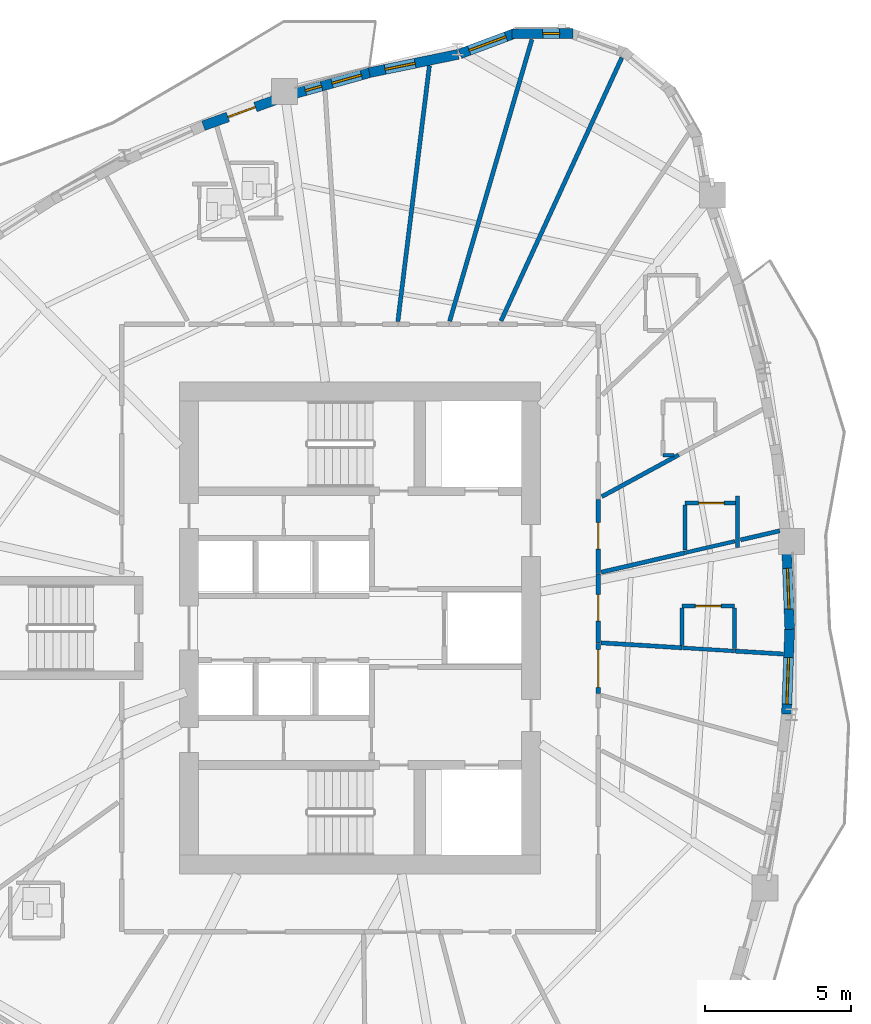
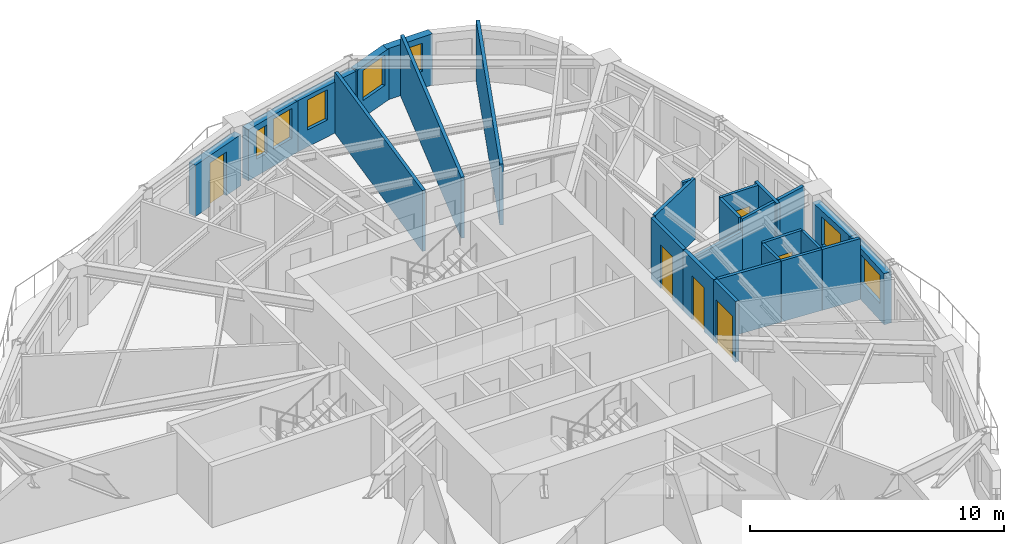
# One storey, part 10 of 17: 27 walls, 7 windows, 6 doors, 13 openings.
"""IFC4 building model written with IfcOpenShell, lengths in metres."""

from ifc_helpers import new_model, si_unit, direction, frame, frame_2d, origin, place, context, subcontext, project, spatial, rectangle, extrude, source, transform, mapped, material, layer, layer_set, type_object, element, fill, save


model = new_model("IFC4")

# Units and contexts
model_context = context("Model", 3, precision=1e-05, world=origin(), true_north=direction((0.0, 1.0)))
body_context = subcontext(model_context, "Body", "Model", "MODEL_VIEW")
ifc_project = project(units=[si_unit("LENGTHUNIT", "METRE"), si_unit("AREAUNIT", "SQUARE_METRE"), si_unit("VOLUMEUNIT", "CUBIC_METRE"), si_unit("PLANEANGLEUNIT", "RADIAN"), si_unit("MASSUNIT", "GRAM", prefix="KILO")], contexts=[model_context])

# Site, building, storey
site_placement = place(None, origin())
site = spatial("IfcSite", under=ifc_project, at=site_placement, CompositionType="ELEMENT")
building_placement = place(site_placement, origin())
building = spatial("IfcBuilding", under=site, at=building_placement, Name="Qafzar Sky-Pleat Residences", CompositionType="ELEMENT")
storey_placement = place(building_placement, frame((0.0, 0.0, 108.800048828125)))
storey = spatial("IfcBuildingStorey", under=building, at=storey_placement, Name="L32", CompositionType="ELEMENT", Elevation=108.800048828125)

# Wall, opening, door
ifc_material_1 = material(Name="Acoustic gypsum plasterboard partition", Category="gypsum")
ifc_layer_1 = layer(ifc_material_1, 0.159912109375)
ifc_layer_set_1 = layer_set([ifc_layer_1], Name="Acoustic gypsum plasterboard partition")
wall_type_1 = type_object("IfcWallType", Name="PART-COR-160", PredefinedType="PARTITIONING", material=ifc_layer_set_1)
wall_1_placement = place(storey_placement, frame((38.530029296875, 30.4150390625, 0.0), z_axis=(0.0, 0.0, 1.0), x_axis=(0.0, -1.0, 0.0)))
wall_1 = element("IfcWall", 1, at=wall_1_placement, inside=storey, type_object=wall_type_1, Name="L32 Partition Wall PART-L32-PW-011", PredefinedType="PARTITIONING", context=body_context, shape_type="SweptSolid", body=[
    extrude(rectangle(XDim=2.5361328125, YDim=0.159912109375, at=frame_2d((1.26806640625, 0.0))), origin(), (0.0, 0.0, 1.0), 2.93505859375),
])
opening_1_placement = place(wall_1_placement, frame((0.784423828125, 0.0, 0.0)))
opening_1 = element("IfcOpeningElement", 2, at=opening_1_placement, cuts=wall_1, Name="Opening ID-04", PredefinedType="OPENING", context=body_context, shape_type="SweptSolid", body=[
    extrude(rectangle(XDim=0.919921875, YDim=2.10009765625, at=frame_2d((0.4599609375, 1.050048828125))), frame((0.0, 0.08984375, 0.0), z_axis=(0.0, -1.0, 0.0), x_axis=(1.0, 0.0, 0.0)), (0.0, 0.0, 1.0), 0.179931640625),
])
ifc_material_2 = material(Name="Timber-faced fire door", Category="wood")
door_type_1 = type_object("IfcDoorType", Name="DR-BED-920", OperationType="NOTDEFINED", PredefinedType="DOOR", material=ifc_material_2)
shared_shape_1 = source(origin(), body_context, "Body", "SweptSolid", [
    extrude(rectangle(XDim=0.919921875, YDim=2.10009765625, at=frame_2d((0.4599609375, 1.050048828125))), frame((0.0, 0.02490234375, 0.0), z_axis=(0.0, -1.0, 0.0), x_axis=(1.0, 0.0, 0.0)), (0.0, 0.0, 1.0), 0.050048828125),
])
door_1_placement = place(opening_1_placement, origin())
door_1 = element("IfcDoor", 3, at=door_1_placement, inside=storey, type_object=door_type_1, Name="L32 Co-Living Bedroom 9 Door", OperationType="SINGLE_SWING_LEFT", OverallHeight=2.10009765625, OverallWidth=0.919921875, PredefinedType="DOOR", context=body_context, shape_type="MappedRepresentation", body=[
    mapped(shared_shape_1, transform((0.0, 0.0, 0.0), x_axis=(1.0, 0.0, 0.0), y_axis=(0.0, 1.0, 0.0), z_axis=(0.0, 0.0, 1.0), scale=1.0)),
])
fill(opening_1, door_1)

wall_2_placement = place(storey_placement, frame((38.530029296875, 27.864013671875, 0.0), z_axis=(0.0, 0.0, 1.0), x_axis=(0.0, -1.0, 0.0)))
wall_2 = element("IfcWall", 4, at=wall_2_placement, inside=storey, type_object=wall_type_1, Name="L32 Partition Wall PART-L32-PW-014", PredefinedType="PARTITIONING", context=body_context, shape_type="SweptSolid", body=[
    extrude(rectangle(XDim=2.381103515625, YDim=0.159912109375, at=frame_2d((1.1904296875, 0.0))), origin(), (0.0, 0.0, 1.0), 2.93505859375),
])
opening_2_placement = place(wall_2_placement, frame((0.7080078125, 0.0, 0.0)))
opening_2 = element("IfcOpeningElement", 5, at=opening_2_placement, cuts=wall_2, Name="Opening ID-04", PredefinedType="OPENING", context=body_context, shape_type="SweptSolid", body=[
    extrude(rectangle(XDim=0.919921875, YDim=2.10009765625, at=frame_2d((0.4599609375, 1.050048828125))), frame((0.0, 0.08984375, 0.0), z_axis=(0.0, -1.0, 0.0), x_axis=(1.0, 0.0, 0.0)), (0.0, 0.0, 1.0), 0.179931640625),
])
door_2_placement = place(opening_2_placement, origin())
door_2 = element("IfcDoor", 6, at=door_2_placement, inside=storey, type_object=door_type_1, Name="L32 Co-Living Bedroom 10 Door", OperationType="SINGLE_SWING_RIGHT", OverallHeight=2.10009765625, OverallWidth=0.919921875, PredefinedType="DOOR", context=body_context, shape_type="MappedRepresentation", body=[
    mapped(shared_shape_1, transform((0.0, 0.0, 0.0), x_axis=(1.0, 0.0, 0.0), y_axis=(0.0, 1.0, 0.0), z_axis=(0.0, 0.0, 1.0), scale=1.0)),
])
fill(opening_2, door_2)

wall_3_placement = place(storey_placement, frame((38.530029296875, 25.468017578125, 0.0), z_axis=(0.0, 0.0, 1.0), x_axis=(0.0, -1.0, 0.0)))
wall_3 = element("IfcWall", 7, at=wall_3_placement, inside=storey, type_object=wall_type_1, Name="L32 Partition Wall PART-L32-PW-029", PredefinedType="PARTITIONING", context=body_context, shape_type="SweptSolid", body=[
    extrude(rectangle(XDim=1.716064453125, YDim=0.159912109375, at=frame_2d((0.85791015625, 0.0))), origin(), (0.0, 0.0, 1.0), 2.93505859375),
])
opening_3_placement = place(wall_3_placement, frame((0.20849609375, 0.0, 0.0)))
opening_3 = element("IfcOpeningElement", 8, at=opening_3_placement, cuts=wall_3, Name="Opening ID-05", PredefinedType="OPENING", context=body_context, shape_type="SweptSolid", body=[
    extrude(rectangle(XDim=1.300048828125, YDim=2.10009765625, at=frame_2d((0.64990234375, 1.050048828125))), frame((0.0, 0.08984375, 0.0), z_axis=(0.0, -1.0, 0.0), x_axis=(1.0, 0.0, 0.0)), (0.0, 0.0, 1.0), 0.179931640625),
])
door_type_2 = type_object("IfcDoorType", Name="DR-LNG-1300", OperationType="DOUBLE_DOOR_SINGLE_SWING", PredefinedType="DOOR", material=ifc_material_2)
shared_shape_2 = source(origin(), body_context, "Body", "SweptSolid", [
    extrude(rectangle(XDim=1.300048828125, YDim=2.10009765625, at=frame_2d((0.64990234375, 1.050048828125))), frame((0.0, 0.02490234375, 0.0), z_axis=(0.0, -1.0, 0.0), x_axis=(1.0, 0.0, 0.0)), (0.0, 0.0, 1.0), 0.050048828125),
])
door_3_placement = place(opening_3_placement, origin())
door_3 = element("IfcDoor", 9, at=door_3_placement, inside=storey, type_object=door_type_2, Name="L32 Scholar Study Room Door", OperationType="DOUBLE_DOOR_SINGLE_SWING", OverallHeight=2.10009765625, OverallWidth=1.300048828125, PredefinedType="DOOR", context=body_context, shape_type="MappedRepresentation", body=[
    mapped(shared_shape_2, transform((0.0, 0.0, 0.0), x_axis=(1.0, 0.0, 0.0), y_axis=(0.0, 1.0, 0.0), z_axis=(0.0, 0.0, 1.0), scale=1.0)),
])
fill(opening_3, door_3)

# Walls
ifc_layer_2 = layer(ifc_material_1, 0.14501953125)
ifc_layer_set_2 = layer_set([ifc_layer_2], Name="Acoustic gypsum plasterboard partition")
wall_type_2 = type_object("IfcWallType", Name="PART-UNIT-145", PredefinedType="PARTITIONING", material=ifc_layer_set_2)
wall_4_placement = place(storey_placement, frame((33.426513671875, 36.5380859375, 0.0), z_axis=(0.0, 0.0, 1.0), x_axis=(0.280326379037, 0.959904745908, 0.0)))
element("IfcWall", 10, at=wall_4_placement, inside=storey, type_object=wall_type_2, Name="L32 Partition Wall PART-L32-PW-032", PredefinedType="PARTITIONING", context=body_context, shape_type="SweptSolid", body=[
    extrude(rectangle(XDim=10.081787109375, YDim=0.14501953125, at=frame_2d((5.041015625, 0.0))), origin(), (0.0, 0.0, 1.0), 2.93505859375),
])
wall_5_placement = place(storey_placement, frame((35.19091796875, 36.547607421875, 0.0), z_axis=(0.0, 0.0, 1.0), x_axis=(0.417154036681, 0.908835799075, 0.0)))
element("IfcWall", 11, at=wall_5_placement, inside=storey, type_object=wall_type_2, Name="L32 Partition Wall PART-L32-PW-033", PredefinedType="PARTITIONING", context=body_context, shape_type="SweptSolid", body=[
    extrude(rectangle(XDim=9.94873046875, YDim=0.14501953125, at=frame_2d((4.974365234375, 0.0))), origin(), (0.0, 0.0, 1.0), 2.93505859375),
])
wall_6_placement = place(storey_placement, frame((31.64794921875, 36.52685546875, 0.0), z_axis=(0.0, 0.0, 1.0), x_axis=(0.122371290087, 0.992484391496, 0.0)))
element("IfcWall", 12, at=wall_6_placement, inside=storey, type_object=wall_type_2, Name="L32 Partition Wall PART-L32-PW-035", PredefinedType="PARTITIONING", context=body_context, shape_type="SweptSolid", body=[
    extrude(rectangle(XDim=8.852294921875, YDim=0.14501953125, at=frame_2d((4.42626953125, 0.0))), origin(), (0.0, 0.0, 1.0), 2.93505859375),
])
wall_7_placement = place(storey_placement, frame((38.651611328125, 30.51318359375, 0.0), z_axis=(0.0, 0.0, 1.0), x_axis=(0.878637115469, 0.47749012484, 0.0)))
element("IfcWall", 13, at=wall_7_placement, inside=storey, type_object=wall_type_2, Name="L32 Partition Wall PART-L32-PW-048", PredefinedType="PARTITIONING", context=body_context, shape_type="SweptSolid", body=[
    extrude(rectangle(XDim=3.0029296875, YDim=0.14501953125, at=frame_2d((1.50146484375, 0.0))), origin(), (0.0, 0.0, 1.0), 2.93505859375),
])
wall_8_placement = place(storey_placement, frame((38.63427734375, 27.918212890625, 0.0), z_axis=(0.0, 0.0, 1.0), x_axis=(0.974209851619, 0.225643889812, 0.0)))
element("IfcWall", 14, at=wall_8_placement, inside=storey, type_object=wall_type_2, Name="L32 Partition Wall PART-L32-PW-049", PredefinedType="PARTITIONING", context=body_context, shape_type="SweptSolid", body=[
    extrude(rectangle(XDim=2.954833984375, YDim=0.14501953125, at=frame_2d((1.4775390625, 0.0))), origin(), (0.0, 0.0, 1.0), 2.35302734375),
])
wall_9_placement = place(storey_placement, frame((38.622314453125, 25.4921875, 0.0), z_axis=(0.0, 0.0, 1.0), x_axis=(0.998116736368, -0.061343138015, 0.0)))
element("IfcWall", 15, at=wall_9_placement, inside=storey, type_object=wall_type_2, Name="L32 Partition Wall PART-L32-PW-053", PredefinedType="PARTITIONING", context=body_context, shape_type="SweptSolid", body=[
    extrude(rectangle(XDim=2.7900390625, YDim=0.14501953125, at=frame_2d((1.39501953125, 0.0))), origin(), (0.0, 0.0, 1.0), 2.93505859375),
])
wall_10_placement = place(storey_placement, frame((43.221923828125, 25.208984375, 0.0), z_axis=(0.0, 0.0, 1.0), x_axis=(0.99814842403, -0.060825353328, 0.0)))
element("IfcWall", 16, at=wall_10_placement, inside=storey, type_object=wall_type_2, Name="L32 Partition Wall PART-L32-PW-067", PredefinedType="PARTITIONING", context=body_context, shape_type="SweptSolid", body=[
    extrude(rectangle(XDim=1.673828125, YDim=0.14501953125, at=frame_2d((0.8369140625, 0.0))), origin(), (0.0, 0.0, 1.0), 2.93505859375),
])
wall_11_placement = place(storey_placement, frame((43.416748046875, 29.026123046875, 0.0), z_axis=(0.0, 0.0, 1.0), x_axis=(0.974194367241, 0.225710732657, 0.0)))
element("IfcWall", 17, at=wall_11_placement, inside=storey, type_object=wall_type_2, Name="L32 Partition Wall PART-L32-PW-072", PredefinedType="PARTITIONING", context=body_context, shape_type="SweptSolid", body=[
    extrude(rectangle(XDim=1.38232421875, YDim=0.14501953125, at=frame_2d((0.691162109375, 0.0))), origin(), (0.0, 0.0, 1.0), 2.93505859375),
])

# Wall, opening, door
ifc_material_3 = material(Name="Moisture-resistant gypsum partition", Category="gypsum")
ifc_layer_3 = layer(ifc_material_3, 0.1298828125)
ifc_layer_set_3 = layer_set([ifc_layer_3], Name="Moisture-resistant gypsum partition")
wall_type_3 = type_object("IfcWallType", Name="PART-WET-130", PredefinedType="PARTITIONING", material=ifc_layer_set_3)
wall_12_placement = place(storey_placement, frame((43.239990234375, 30.2919921875, 0.0), z_axis=(0.0, 0.0, 1.0), x_axis=(-1.0, 0.0, 0.0)))
wall_12 = element("IfcWall", 18, at=wall_12_placement, inside=storey, type_object=wall_type_3, Name="L32 Partition Wall PART-L32-PW-026", PredefinedType="PARTITIONING", context=body_context, shape_type="SweptSolid", body=[
    extrude(rectangle(XDim=1.72705078125, YDim=0.1298828125, at=frame_2d((0.863525390625, 0.0))), origin(), (0.0, 0.0, 1.0), 2.93505859375),
])
opening_4_placement = place(wall_12_placement, frame((0.386962890625, 0.0, 0.0)))
opening_4 = element("IfcOpeningElement", 19, at=opening_4_placement, cuts=wall_12, Name="Opening ID-07", PredefinedType="OPENING", context=body_context, shape_type="SweptSolid", body=[
    extrude(rectangle(XDim=0.8798828125, YDim=2.050048828125, at=frame_2d((0.43994140625, 1.02490234375))), frame((0.0, 0.074951171875, 0.0), z_axis=(0.0, -1.0, 0.0), x_axis=(1.0, 0.0, 0.0)), (0.0, 0.0, 1.0), 0.14990234375),
])
door_type_3 = type_object("IfcDoorType", Name="DR-WET-880", OperationType="NOTDEFINED", PredefinedType="DOOR", material=ifc_material_2)
shared_shape_3 = source(origin(), body_context, "Body", "SweptSolid", [
    extrude(rectangle(XDim=0.8798828125, YDim=2.050048828125, at=frame_2d((0.43994140625, 1.02490234375))), frame((0.0, 0.02490234375, 0.0), z_axis=(0.0, -1.0, 0.0), x_axis=(1.0, 0.0, 0.0)), (0.0, 0.0, 1.0), 0.050048828125),
])
door_4_placement = place(opening_4_placement, origin())
door_4 = element("IfcDoor", 20, at=door_4_placement, inside=storey, type_object=door_type_3, Name="L32 En-suite Bathroom 9 Door", OperationType="SINGLE_SWING_LEFT", OverallHeight=2.050048828125, OverallWidth=0.8798828125, PredefinedType="DOOR", context=body_context, shape_type="MappedRepresentation", body=[
    mapped(shared_shape_3, transform((0.0, 0.0, 0.0), x_axis=(1.0, 0.0, 0.0), y_axis=(0.0, 1.0, 0.0), z_axis=(0.0, 0.0, 1.0), scale=1.0)),
])
fill(opening_4, door_4)

wall_13_placement = place(storey_placement, frame((43.20703125, 26.7529296875, 0.0), z_axis=(0.0, 0.0, 1.0), x_axis=(-1.0, 0.0, 0.0)))
wall_13 = element("IfcWall", 21, at=wall_13_placement, inside=storey, type_object=wall_type_3, Name="L32 Partition Wall PART-L32-PW-027", PredefinedType="PARTITIONING", context=body_context, shape_type="SweptSolid", body=[
    extrude(rectangle(XDim=1.800048828125, YDim=0.1298828125, at=frame_2d((0.89990234375, 0.0))), origin(), (0.0, 0.0, 1.0), 2.93505859375),
])
opening_5_placement = place(wall_13_placement, frame((0.4599609375, 0.0, 0.0)))
opening_5 = element("IfcOpeningElement", 22, at=opening_5_placement, cuts=wall_13, Name="Opening ID-07", PredefinedType="OPENING", context=body_context, shape_type="SweptSolid", body=[
    extrude(rectangle(XDim=0.8798828125, YDim=2.050048828125, at=frame_2d((0.43994140625, 1.02490234375))), frame((0.0, 0.074951171875, 0.0), z_axis=(0.0, -1.0, 0.0), x_axis=(1.0, 0.0, 0.0)), (0.0, 0.0, 1.0), 0.14990234375),
])
door_5_placement = place(opening_5_placement, origin())
door_5 = element("IfcDoor", 23, at=door_5_placement, inside=storey, type_object=door_type_3, Name="L32 En-suite Bathroom 10 Door", OperationType="SINGLE_SWING_RIGHT", OverallHeight=2.050048828125, OverallWidth=0.8798828125, PredefinedType="DOOR", context=body_context, shape_type="MappedRepresentation", body=[
    mapped(shared_shape_3, transform((0.0, 0.0, 0.0), x_axis=(1.0, 0.0, 0.0), y_axis=(0.0, 1.0, 0.0), z_axis=(0.0, 0.0, 1.0), scale=1.0)),
])
fill(opening_5, door_5)

# Walls
wall_14_placement = place(storey_placement, frame((41.527587890625, 28.58837890625, 0.0), z_axis=(0.0, 0.0, 1.0), x_axis=(0.974206728247, 0.225657374437, 0.0)))
element("IfcWall", 24, at=wall_14_placement, inside=storey, type_object=wall_type_3, Name="L32 Partition Wall PART-L32-PW-058", PredefinedType="PARTITIONING", context=body_context, shape_type="SweptSolid", body=[
    extrude(rectangle(XDim=1.742919921875, YDim=0.1298828125, at=frame_2d((0.87158203125, 0.0))), origin(), (0.0, 0.0, 1.0), 2.93505859375),
])
wall_15_placement = place(storey_placement, frame((41.422119140625, 25.320068359375, 0.0), z_axis=(0.0, 0.0, 1.0), x_axis=(0.998102716713, -0.061570828237, 0.0)))
element("IfcWall", 25, at=wall_15_placement, inside=storey, type_object=wall_type_3, Name="L32 Partition Wall PART-L32-PW-063", PredefinedType="PARTITIONING", context=body_context, shape_type="SweptSolid", body=[
    extrude(rectangle(XDim=1.788330078125, YDim=0.1298828125, at=frame_2d((0.89404296875, 0.0))), origin(), (0.0, 0.0, 1.0), 2.93505859375),
])
wall_16_placement = place(storey_placement, frame((41.512939453125, 28.6826171875, 0.0), z_axis=(0.0, 0.0, 1.0), x_axis=(0.0, 1.0, 0.0)))
element("IfcWall", 26, at=wall_16_placement, inside=storey, type_object=wall_type_3, Name="L32 Partition Wall PART-L32-PW-066", PredefinedType="PARTITIONING", context=body_context, shape_type="SweptSolid", body=[
    extrude(rectangle(XDim=1.536376953125, YDim=0.1298828125, at=frame_2d((0.76806640625, 0.0))), origin(), (0.0, 0.0, 1.0), 2.93505859375),
])
wall_17_placement = place(storey_placement, frame((43.20703125, 25.294677734375, 0.0), z_axis=(0.0, 0.0, 1.0), x_axis=(0.0, 1.0, 0.0)))
element("IfcWall", 27, at=wall_17_placement, inside=storey, type_object=wall_type_3, Name="L32 Partition Wall PART-L32-PW-071", PredefinedType="PARTITIONING", context=body_context, shape_type="SweptSolid", body=[
    extrude(rectangle(XDim=1.38525390625, YDim=0.1298828125, at=frame_2d((0.692626953125, 0.0))), origin(), (0.0, 0.0, 1.0), 2.93505859375),
])
wall_18_placement = place(storey_placement, frame((41.406982421875, 25.405517578125, 0.0), z_axis=(0.0, 0.0, 1.0), x_axis=(0.0, 1.0, 0.0)))
element("IfcWall", 28, at=wall_18_placement, inside=storey, type_object=wall_type_3, Name="L32 Partition Wall PART-L32-PW-074", PredefinedType="PARTITIONING", context=body_context, shape_type="SweptSolid", body=[
    extrude(rectangle(XDim=1.2744140625, YDim=0.1298828125, at=frame_2d((0.63720703125, 0.0))), origin(), (0.0, 0.0, 1.0), 2.93505859375),
])
wall_19_placement = place(storey_placement, frame((43.31298828125, 28.761962890625, 0.0), z_axis=(0.0, 0.0, 1.0), x_axis=(0.0, 1.0, 0.0)))
element("IfcWall", 29, at=wall_19_placement, inside=storey, type_object=wall_type_3, Name="L32 Partition Wall PART-L32-PW-079", PredefinedType="PARTITIONING", context=body_context, shape_type="SweptSolid", body=[
    extrude(rectangle(XDim=1.77001953125, YDim=0.1298828125, at=frame_2d((0.885009765625, 0.0))), origin(), (0.0, 0.0, 1.0), 2.93505859375),
])
wall_20_placement = place(storey_placement, frame((40.75, 31.931884765625, 0.0), z_axis=(0.0, 0.0, 1.0), x_axis=(1.0, 0.0, 0.0)))
element("IfcWall", 30, at=wall_20_placement, inside=storey, type_object=wall_type_3, Name="L32 Partition Wall PART-L32-PW-091", PredefinedType="PARTITIONING", context=body_context, shape_type="SweptSolid", body=[
    extrude(rectangle(XDim=0.376953125, YDim=0.1298828125, at=frame_2d((0.1884765625, 0.0))), origin(), (0.0, 0.0, 1.0), 2.93505859375),
])

# Wall, opening, window
ifc_material_4 = material(Name="Precast concrete C40/50 with honed Riyadh limestone", Category="concrete")
ifc_layer_4 = layer(ifc_material_4, 0.340087890625)
ifc_layer_set_4 = layer_set([ifc_layer_4], Name="Precast concrete C40/50 with honed Riyadh limestone")
wall_type_4 = type_object("IfcWallType", Name="WALL-EXT-340", PredefinedType="SOLIDWALL", material=ifc_layer_set_4)
wall_21_placement = place(storey_placement, frame((44.994140625, 23.05126953125, 0.0), z_axis=(0.0, 0.0, 1.0), x_axis=(0.037982360438, 0.999278409802, 0.0)))
wall_21 = element("IfcWall", 31, at=wall_21_placement, inside=storey, type_object=wall_type_4, Name="L32 Limestone Facade Wall 27", PredefinedType="SOLIDWALL", context=body_context, shape_type="SweptSolid", body=[
    extrude(rectangle(XDim=2.995361328125, YDim=0.340087890625, at=frame_2d((1.49755859375, 0.0))), origin(), (0.0, 0.0, 1.0), 2.46484375),
])
opening_6_placement = place(wall_21_placement, frame((0.3349609375, 0.0, 0.820068359375)))
opening_6 = element("IfcOpeningElement", 32, at=opening_6_placement, cuts=wall_21, Name="Opening WN-09", PredefinedType="OPENING", context=body_context, shape_type="SweptSolid", body=[
    extrude(rectangle(XDim=1.60009765625, YDim=1.35009765625, at=frame_2d((0.800048828125, 0.675048828125))), frame((0.0, 0.18017578125, 0.0), z_axis=(0.0, -1.0, 0.0), x_axis=(1.0, 0.0, 0.0)), (0.0, 0.0, 1.0), 0.360107421875),
])
ifc_material_5 = material(Name="Solar-control low-E glass in bronze aluminium frame", Category="glass")
window_type_1 = type_object("IfcWindowType", Name="WIN-09", PartitioningType="DOUBLE_PANEL_VERTICAL", PredefinedType="WINDOW", material=ifc_material_5)
shared_shape_4 = source(origin(), body_context, "Body", "SweptSolid", [
    extrude(rectangle(XDim=1.60009765625, YDim=1.35009765625, at=frame_2d((0.800048828125, 0.675048828125))), frame((0.0, 0.030029296875, 0.0), z_axis=(0.0, -1.0, 0.0), x_axis=(1.0, 0.0, 0.0)), (0.0, 0.0, 1.0), 0.06005859375),
])
window_1_placement = place(opening_6_placement, origin())
window_1 = element("IfcWindow", 33, at=window_1_placement, inside=storey, type_object=window_type_1, Name="L32 Punched Facade Window 27", OverallHeight=1.35009765625, OverallWidth=1.60009765625, PartitioningType="SINGLE_PANEL", PredefinedType="WINDOW", context=body_context, shape_type="MappedRepresentation", body=[
    mapped(shared_shape_4, transform((0.0, 0.0, 0.0), x_axis=(1.0, 0.0, 0.0), y_axis=(0.0, 1.0, 0.0), z_axis=(0.0, 0.0, 1.0), scale=1.0)),
])
fill(opening_6, window_1)

wall_22_placement = place(storey_placement, frame((45.10791015625, 25.95556640625, 0.0), z_axis=(0.0, 0.0, 1.0), x_axis=(-0.037955087732, 0.999279446059, 0.0)))
wall_22 = element("IfcWall", 34, at=wall_22_placement, inside=storey, type_object=wall_type_4, Name="L32 Limestone Facade Wall 28", PredefinedType="SOLIDWALL", context=body_context, shape_type="SweptSolid", body=[
    extrude(rectangle(XDim=2.78515625, YDim=0.340087890625, at=frame_2d((1.392578125, 0.0))), origin(), (0.0, 0.0, 1.0), 2.46484375),
])
opening_7_placement = place(wall_22_placement, frame((0.697509765625, 0.0, 0.820068359375)))
opening_7 = element("IfcOpeningElement", 35, at=opening_7_placement, cuts=wall_22, Name="Opening WN-10", PredefinedType="OPENING", context=body_context, shape_type="SweptSolid", body=[
    extrude(rectangle(XDim=1.39990234375, YDim=1.35009765625, at=frame_2d((0.699951171875, 0.675048828125))), frame((0.0, 0.18017578125, 0.0), z_axis=(0.0, -1.0, 0.0), x_axis=(1.0, 0.0, 0.0)), (0.0, 0.0, 1.0), 0.360107421875),
])
window_type_2 = type_object("IfcWindowType", Name="WIN-10", PartitioningType="SINGLE_PANEL", PredefinedType="WINDOW", material=ifc_material_5)
shared_shape_5 = source(origin(), body_context, "Body", "SweptSolid", [
    extrude(rectangle(XDim=1.39990234375, YDim=1.35009765625, at=frame_2d((0.699951171875, 0.675048828125))), frame((0.0, 0.030029296875, 0.0), z_axis=(0.0, -1.0, 0.0), x_axis=(1.0, 0.0, 0.0)), (0.0, 0.0, 1.0), 0.06005859375),
])
window_2_placement = place(opening_7_placement, origin())
window_2 = element("IfcWindow", 36, at=window_2_placement, inside=storey, type_object=window_type_2, Name="L32 Punched Facade Window 28", OverallHeight=1.35009765625, OverallWidth=1.39990234375, PartitioningType="SINGLE_PANEL", PredefinedType="WINDOW", context=body_context, shape_type="MappedRepresentation", body=[
    mapped(shared_shape_5, transform((0.0, 0.0, 0.0), x_axis=(1.0, 0.0, 0.0), y_axis=(0.0, 1.0, 0.0), z_axis=(0.0, 0.0, 1.0), scale=1.0)),
])
fill(opening_7, window_2)

wall_23_placement = place(storey_placement, frame((37.66162109375, 46.423583984375, 0.0), z_axis=(0.0, 0.0, 1.0), x_axis=(-0.999976456891, -0.00686189939, 0.0)))
wall_23 = element("IfcWall", 37, at=wall_23_placement, inside=storey, type_object=wall_type_4, Name="L32 Limestone Facade Wall 37", PredefinedType="SOLIDWALL", context=body_context, shape_type="SweptSolid", body=[
    extrude(rectangle(XDim=2.09912109375, YDim=0.340087890625, at=frame_2d((1.049560546875, 0.0))), origin(), (0.0, 0.0, 1.0), 2.46484375),
])
opening_8_placement = place(wall_23_placement, frame((0.45751953125, 0.0, 0.820068359375)))
opening_8 = element("IfcOpeningElement", 38, at=opening_8_placement, cuts=wall_23, Name="Opening WN-17", PredefinedType="OPENING", context=body_context, shape_type="SweptSolid", body=[
    extrude(rectangle(XDim=0.580078125, YDim=1.35009765625, at=frame_2d((0.2900390625, 0.675048828125))), frame((0.0, 0.18017578125, 0.0), z_axis=(0.0, -1.0, 0.0), x_axis=(1.0, 0.0, 0.0)), (0.0, 0.0, 1.0), 0.360107421875),
])
window_type_3 = type_object("IfcWindowType", Name="WIN-17", PartitioningType="SINGLE_PANEL", PredefinedType="WINDOW", material=ifc_material_5)
shared_shape_6 = source(origin(), body_context, "Body", "SweptSolid", [
    extrude(rectangle(XDim=0.580078125, YDim=1.35009765625, at=frame_2d((0.2900390625, 0.675048828125))), frame((0.0, 0.030029296875, 0.0), z_axis=(0.0, -1.0, 0.0), x_axis=(1.0, 0.0, 0.0)), (0.0, 0.0, 1.0), 0.06005859375),
])
window_3_placement = place(opening_8_placement, origin())
window_3 = element("IfcWindow", 39, at=window_3_placement, inside=storey, type_object=window_type_3, Name="L32 Punched Facade Window 37", OverallHeight=1.35009765625, OverallWidth=0.580078125, PartitioningType="SINGLE_PANEL", PredefinedType="WINDOW", context=body_context, shape_type="MappedRepresentation", body=[
    mapped(shared_shape_6, transform((0.0, 0.0, 0.0), x_axis=(1.0, 0.0, 0.0), y_axis=(0.0, 1.0, 0.0), z_axis=(0.0, 0.0, 1.0), scale=1.0)),
])
fill(opening_8, window_3)

wall_24_placement = place(storey_placement, frame((35.694580078125, 46.43359375, 0.0), z_axis=(0.0, 0.0, 1.0), x_axis=(-0.9368002254, -0.349864741994, 0.0)))
wall_24 = element("IfcWall", 40, at=wall_24_placement, inside=storey, type_object=wall_type_4, Name="L32 Limestone Facade Wall 38", PredefinedType="SOLIDWALL", context=body_context, shape_type="SweptSolid", body=[
    extrude(rectangle(XDim=2.041015625, YDim=0.340087890625, at=frame_2d((1.0205078125, 0.0))), origin(), (0.0, 0.0, 1.0), 2.46484375),
])
opening_9_placement = place(wall_24_placement, frame((0.35546875, 0.0, 0.820068359375)))
opening_9 = element("IfcOpeningElement", 41, at=opening_9_placement, cuts=wall_24, Name="Opening WN-04", PredefinedType="OPENING", context=body_context, shape_type="SweptSolid", body=[
    extrude(rectangle(XDim=1.35009765625, YDim=1.449951171875, at=frame_2d((0.675048828125, 0.72509765625))), frame((0.0, 0.18017578125, 0.0), z_axis=(0.0, -1.0, 0.0), x_axis=(1.0, 0.0, 0.0)), (0.0, 0.0, 1.0), 0.360107421875),
])
window_type_4 = type_object("IfcWindowType", Name="WIN-04", PartitioningType="SINGLE_PANEL", PredefinedType="WINDOW", material=ifc_material_5)
shared_shape_7 = source(origin(), body_context, "Body", "SweptSolid", [
    extrude(rectangle(XDim=1.35009765625, YDim=1.449951171875, at=frame_2d((0.675048828125, 0.72509765625))), frame((0.0, 0.030029296875, 0.0), z_axis=(0.0, -1.0, 0.0), x_axis=(1.0, 0.0, 0.0)), (0.0, 0.0, 1.0), 0.06005859375),
])
window_4_placement = place(opening_9_placement, origin())
window_4 = element("IfcWindow", 42, at=window_4_placement, inside=storey, type_object=window_type_4, Name="L32 Punched Facade Window 38", OverallHeight=1.449951171875, OverallWidth=1.35009765625, PartitioningType="SINGLE_PANEL", PredefinedType="WINDOW", context=body_context, shape_type="MappedRepresentation", body=[
    mapped(shared_shape_7, transform((0.0, 0.0, 0.0), x_axis=(1.0, 0.0, 0.0), y_axis=(0.0, 1.0, 0.0), z_axis=(0.0, 0.0, 1.0), scale=1.0)),
])
fill(opening_9, window_4)

wall_25_placement = place(storey_placement, frame((33.718994140625, 45.701171875, 0.0), z_axis=(0.0, 0.0, 1.0), x_axis=(-0.979417849231, -0.201843198072, 0.0)))
wall_25 = element("IfcWall", 43, at=wall_25_placement, inside=storey, type_object=wall_type_4, Name="L32 Limestone Facade Wall 39", PredefinedType="SOLIDWALL", context=body_context, shape_type="SweptSolid", body=[
    extrude(rectangle(XDim=3.11328125, YDim=0.340087890625, at=frame_2d((1.556640625, 0.0))), origin(), (0.0, 0.0, 1.0), 2.46484375),
])
opening_10_placement = place(wall_25_placement, frame((1.510986328125, 0.0, 0.820068359375)))
opening_10 = element("IfcOpeningElement", 44, at=opening_10_placement, cuts=wall_25, Name="Opening WN-06", PredefinedType="OPENING", context=body_context, shape_type="SweptSolid", body=[
    extrude(rectangle(XDim=1.050048828125, YDim=1.449951171875, at=frame_2d((0.52490234375, 0.72509765625))), frame((0.0, 0.18017578125, 0.0), z_axis=(0.0, -1.0, 0.0), x_axis=(1.0, 0.0, 0.0)), (0.0, 0.0, 1.0), 0.360107421875),
])
window_type_5 = type_object("IfcWindowType", Name="WIN-06", PartitioningType="SINGLE_PANEL", PredefinedType="WINDOW", material=ifc_material_5)
shared_shape_8 = source(origin(), body_context, "Body", "SweptSolid", [
    extrude(rectangle(XDim=1.050048828125, YDim=1.449951171875, at=frame_2d((0.52490234375, 0.72509765625))), frame((0.0, 0.030029296875, 0.0), z_axis=(0.0, -1.0, 0.0), x_axis=(1.0, 0.0, 0.0)), (0.0, 0.0, 1.0), 0.06005859375),
])
window_5_placement = place(opening_10_placement, origin())
window_5 = element("IfcWindow", 45, at=window_5_placement, inside=storey, type_object=window_type_5, Name="L32 Punched Facade Window 39-2", OverallHeight=1.449951171875, OverallWidth=1.050048828125, PartitioningType="SINGLE_PANEL", PredefinedType="WINDOW", context=body_context, shape_type="MappedRepresentation", body=[
    mapped(shared_shape_8, transform((0.0, 0.0, 0.0), x_axis=(1.0, 0.0, 0.0), y_axis=(0.0, 1.0, 0.0), z_axis=(0.0, 0.0, 1.0), scale=1.0)),
])
fill(opening_10, window_5)

# Wall, openings, windows
wall_26_placement = place(storey_placement, frame((30.7548828125, 45.093505859375, 0.0), z_axis=(0.0, 0.0, 1.0), x_axis=(-0.963040794714, -0.269355578589, 0.0)))
wall_26 = element("IfcWall", 46, at=wall_26_placement, inside=storey, type_object=wall_type_4, Name="L32 Limestone Facade Wall 40", PredefinedType="SOLIDWALL", context=body_context, shape_type="SweptSolid", body=[
    extrude(rectangle(XDim=2.8388671875, YDim=0.340087890625, at=frame_2d((1.41943359375, 0.0))), origin(), (0.0, 0.0, 1.0), 2.46484375),
])
opening_11_placement = place(wall_26_placement, frame((0.373046875, 0.0, 0.820068359375)))
opening_11 = element("IfcOpeningElement", 47, at=opening_11_placement, cuts=wall_26, Name="Opening WN-06", PredefinedType="OPENING", context=body_context, shape_type="SweptSolid", body=[
    extrude(rectangle(XDim=1.050048828125, YDim=1.449951171875, at=frame_2d((0.52490234375, 0.72509765625))), frame((0.0, 0.18017578125, 0.0), z_axis=(0.0, -1.0, 0.0), x_axis=(1.0, 0.0, 0.0)), (0.0, 0.0, 1.0), 0.360107421875),
])
opening_12_placement = place(wall_26_placement, frame((1.79248046875, 0.0, 0.820068359375)))
opening_12 = element("IfcOpeningElement", 48, at=opening_12_placement, cuts=wall_26, Name="Opening WN-17", PredefinedType="OPENING", context=body_context, shape_type="SweptSolid", body=[
    extrude(rectangle(XDim=0.580078125, YDim=1.35009765625, at=frame_2d((0.2900390625, 0.675048828125))), frame((0.0, 0.18017578125, 0.0), z_axis=(0.0, -1.0, 0.0), x_axis=(1.0, 0.0, 0.0)), (0.0, 0.0, 1.0), 0.360107421875),
])
window_6_placement = place(opening_12_placement, origin())
window_6 = element("IfcWindow", 49, at=window_6_placement, inside=storey, type_object=window_type_3, Name="L32 Punched Facade Window 40-2", OverallHeight=1.35009765625, OverallWidth=0.580078125, PartitioningType="SINGLE_PANEL", PredefinedType="WINDOW", context=body_context, shape_type="MappedRepresentation", body=[
    mapped(shared_shape_6, transform((0.0, 0.0, 0.0), x_axis=(1.0, 0.0, 0.0), y_axis=(0.0, 1.0, 0.0), z_axis=(0.0, 0.0, 1.0), scale=1.0)),
])
fill(opening_12, window_6)
window_7_placement = place(opening_11_placement, origin())
window_7 = element("IfcWindow", 50, at=window_7_placement, inside=storey, type_object=window_type_5, Name="L32 Punched Facade Window 40", OverallHeight=1.449951171875, OverallWidth=1.050048828125, PartitioningType="SINGLE_PANEL", PredefinedType="WINDOW", context=body_context, shape_type="MappedRepresentation", body=[
    mapped(shared_shape_8, transform((0.0, 0.0, 0.0), x_axis=(1.0, 0.0, 0.0), y_axis=(0.0, 1.0, 0.0), z_axis=(0.0, 0.0, 1.0), scale=1.0)),
])
fill(opening_11, window_7)

# Wall, opening, door
wall_27_placement = place(storey_placement, frame((27.5947265625, 44.19287109375, 0.0), z_axis=(0.0, 0.0, 1.0), x_axis=(-0.94107471628, -0.338198726163, 0.0)))
wall_27 = element("IfcWall", 51, at=wall_27_placement, inside=storey, type_object=wall_type_4, Name="L32 Limestone Facade Wall 41", PredefinedType="SOLIDWALL", context=body_context, shape_type="SweptSolid", body=[
    extrude(rectangle(XDim=2.789306640625, YDim=0.340087890625, at=frame_2d((1.39453125, 0.0))), origin(), (0.0, 0.0, 1.0), 2.46484375),
])
opening_13_placement = place(wall_27_placement, frame((0.894775390625, 0.0, 0.0)))
opening_13 = element("IfcOpeningElement", 52, at=opening_13_placement, cuts=wall_27, Name="Opening ED-05", PredefinedType="OPENING", context=body_context, shape_type="SweptSolid", body=[
    extrude(rectangle(XDim=1.0, YDim=2.10009765625, at=frame_2d((0.5, 1.050048828125))), frame((0.0, 0.18017578125, 0.0), z_axis=(0.0, -1.0, 0.0), x_axis=(1.0, 0.0, 0.0)), (0.0, 0.0, 1.0), 0.360107421875),
])
ifc_material_6 = material(Name="Glazed bronze aluminium door", Category="aluminium")
door_type_4 = type_object("IfcDoorType", Name="DR-BAL-1000", OperationType="NOTDEFINED", PredefinedType="DOOR", material=ifc_material_6)
shared_shape_9 = source(origin(), body_context, "Body", "SweptSolid", [
    extrude(rectangle(XDim=1.0, YDim=2.10009765625, at=frame_2d((0.5, 1.050048828125))), frame((0.0, 0.02490234375, 0.0), z_axis=(0.0, -1.0, 0.0), x_axis=(1.0, 0.0, 0.0)), (0.0, 0.0, 1.0), 0.050048828125),
])
door_6_placement = place(opening_13_placement, origin())
door_6 = element("IfcDoor", 53, at=door_6_placement, inside=storey, type_object=door_type_4, Name="L32 Glazed Balcony Door 2", OperationType="SINGLE_SWING_LEFT", OverallHeight=2.10009765625, OverallWidth=1.0, PredefinedType="DOOR", context=body_context, shape_type="MappedRepresentation", body=[
    mapped(shared_shape_9, transform((0.0, 0.0, 0.0), x_axis=(1.0, 0.0, 0.0), y_axis=(0.0, 1.0, 0.0), z_axis=(0.0, 0.0, 1.0), scale=1.0)),
])
fill(opening_13, door_6)

save(model, "model.ifc")
